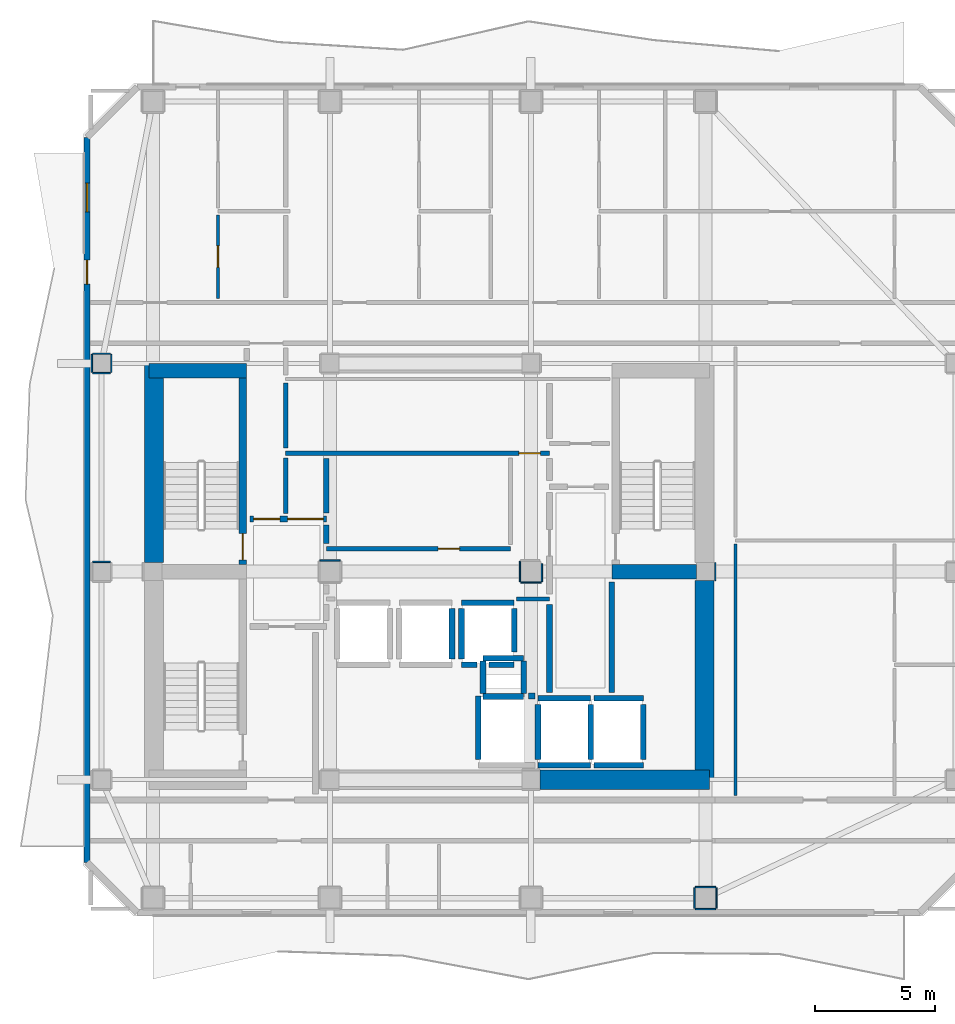
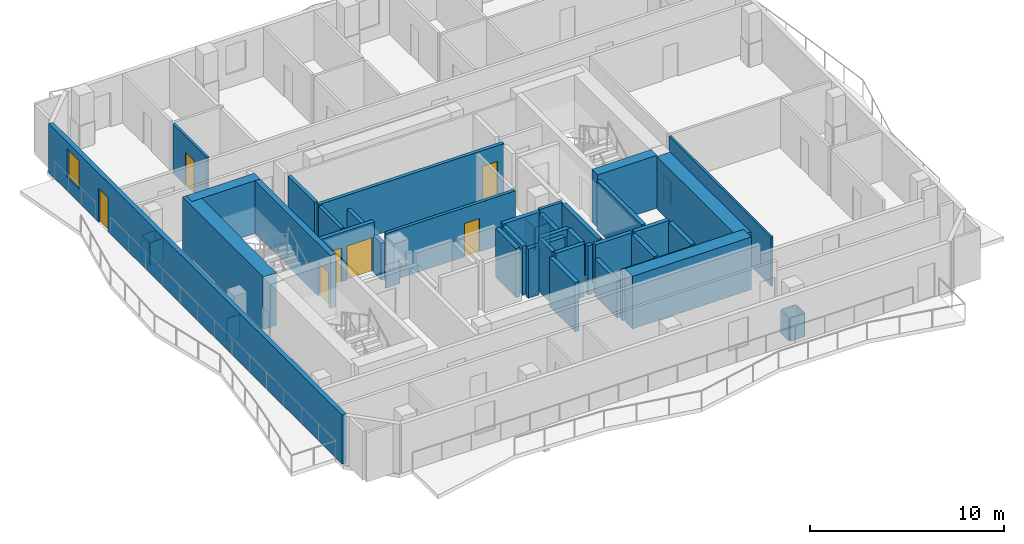
# One storey, part 3 of 9: 52 walls, 7 doors, 1 window, 8 openings.
"""IFC4 building model written with IfcOpenShell, lengths in metres."""

from ifc_helpers import new_model, si_unit, direction, frame, frame_2d, origin, place, context, subcontext, project, spatial, rectangle, extrude, material, layer, layer_set, type_object, element, fill, save


model = new_model("IFC4")

# Units and contexts
model_context = context("Model", 3, precision=1e-05, world=origin(), true_north=direction((0.0, 1.0)))
body_context = subcontext(model_context, "Body", "Model", "MODEL_VIEW")
ifc_project = project(units=[si_unit("LENGTHUNIT", "METRE"), si_unit("AREAUNIT", "SQUARE_METRE"), si_unit("VOLUMEUNIT", "CUBIC_METRE"), si_unit("PLANEANGLEUNIT", "RADIAN"), si_unit("MASSUNIT", "GRAM", prefix="KILO")], contexts=[model_context])

# Site, building, storey
site_placement = place(None, origin())
site = spatial("IfcSite", under=ifc_project, at=site_placement, CompositionType="ELEMENT")
building_placement = place(site_placement, origin())
building = spatial("IfcBuilding", under=site, at=building_placement, Name="Solanera Arch Residences", CompositionType="ELEMENT")
storey_placement = place(building_placement, frame((0.0, 0.0, 244.56005859375)))
storey = spatial("IfcBuildingStorey", under=building, at=storey_placement, Name="L71", CompositionType="ELEMENT", Elevation=244.56005859375)

# Walls
ifc_material_1 = material(Name="Fire-Rated Gypsum Stud Partition", Category="gypsum")
ifc_layer_1 = layer(ifc_material_1, 0.06005859375)
ifc_layer_set_1 = layer_set([ifc_layer_1], Name="Fire-Rated Gypsum Stud Partition")
wall_type_1 = type_object("IfcWallType", Name="Column Acoustic Furring Wall 60", PredefinedType="PARTITIONING", material=ifc_layer_set_1)
wall_1_placement = place(storey_placement, frame((36.906982421875, 30.324951171875, 0.0), z_axis=(0.0, 0.0, 1.0), x_axis=(0.0, 1.0, 0.0)))
element("IfcWall", 1, at=wall_1_placement, inside=storey, type_object=wall_type_1, Name="L71 Column Furring 6E", PredefinedType="PARTITIONING", context=body_context, shape_type="SweptSolid", body=[
    extrude(rectangle(XDim=0.75, YDim=0.06005859375, at=frame_2d((0.375, 0.0))), origin(), (0.0, 0.0, 1.0), 1.449951171875),
])
for number, where, z_axis, x_axis, name in (
    (2, (20.375, 31.156982421875, 0.0), (0.0, 0.0, 1.0), (1.0, 0.0, 0.0), "L71 Column Furring 7N"),
    (3, (28.77490234375, 30.242919921875, 0.0), (0.0, 0.0, 1.0), (1.0, 0.0, 0.0), "L71 Column Furring 8S"),
    (4, (28.742919921875, 30.27490234375, 0.0), (0.0, 0.0, 1.0), (0.0, 1.0, 0.0), "L71 Column Furring 8W"),
):
    element("IfcWall", number, at=place(storey_placement, frame(where, z_axis=z_axis, x_axis=x_axis)), inside=storey, type_object=wall_type_1, Name=name, PredefinedType="PARTITIONING", context=body_context, shape_type="SweptSolid", body=[
        extrude(rectangle(XDim=0.85009765625, YDim=0.06005859375, at=frame_2d((0.425048828125, 0.0))), origin(), (0.0, 0.0, 1.0), 1.449951171875),
    ])
wall_2_placement = place(storey_placement, frame((29.656982421875, 30.27490234375, 0.0), z_axis=(0.0, 0.0, 1.0), x_axis=(0.0, 1.0, 0.0)))
element("IfcWall", 5, at=wall_2_placement, inside=storey, type_object=wall_type_1, Name="L71 Column Furring 8E", PredefinedType="PARTITIONING", context=body_context, shape_type="SweptSolid", body=[
    extrude(rectangle(XDim=0.757080078125, YDim=0.06005859375, at=frame_2d((0.37841796875, 0.0))), origin(), (0.0, 0.0, 1.0), 1.449951171875),
])
for number, where, z_axis, x_axis, name in (
    (6, (36.074951171875, 16.593017578125, 0.0), (0.0, 0.0, 1.0), (1.0, 0.0, 0.0), "L71 Column Furring 15S"),
    (7, (36.074951171875, 17.507080078125, 0.0), (0.0, 0.0, 1.0), (1.0, 0.0, 0.0), "L71 Column Furring 15N"),
    (8, (36.04296875, 16.625, 0.0), (0.0, 0.0, 1.0), (0.0, 1.0, 0.0), "L71 Column Furring 15W"),
    (9, (36.95703125, 16.625, 0.0), (0.0, 0.0, 1.0), (0.0, 1.0, 0.0), "L71 Column Furring 15E"),
):
    element("IfcWall", number, at=place(storey_placement, frame(where, z_axis=z_axis, x_axis=x_axis)), inside=storey, type_object=wall_type_1, Name=name, PredefinedType="PARTITIONING", context=body_context, shape_type="SweptSolid", body=[
        extrude(rectangle(XDim=0.85009765625, YDim=0.06005859375, at=frame_2d((0.425048828125, 0.0))), origin(), (0.0, 0.0, 1.0), 1.449951171875),
    ])
for number, where, z_axis, x_axis, name in (
    (10, (10.875, 31.10693359375, 0.0), (0.0, 0.0, 1.0), (1.0, 0.0, 0.0), "L71 Column Furring 19N"),
    (11, (10.875, 38.992919921875, 0.0), (0.0, 0.0, 1.0), (1.0, 0.0, 0.0), "L71 Column Furring 21S"),
    (12, (10.875, 39.806884765625, 0.0), (0.0, 0.0, 1.0), (1.0, 0.0, 0.0), "L71 Column Furring 21N"),
    (13, (10.843017578125, 39.02490234375, 0.0), (0.0, 0.0, 1.0), (0.0, 1.0, 0.0), "L71 Column Furring 21W"),
    (14, (11.656982421875, 39.02490234375, 0.0), (0.0, 0.0, 1.0), (0.0, 1.0, 0.0), "L71 Column Furring 21E"),
):
    element("IfcWall", number, at=place(storey_placement, frame(where, z_axis=z_axis, x_axis=x_axis)), inside=storey, type_object=wall_type_1, Name=name, PredefinedType="PARTITIONING", context=body_context, shape_type="SweptSolid", body=[
        extrude(rectangle(XDim=0.75, YDim=0.06005859375, at=frame_2d((0.375, 0.0))), origin(), (0.0, 0.0, 1.0), 1.449951171875),
    ])

# Wall, opening, door
ifc_material_2 = material(Name="Concrete C40/50 (f'c = 45 MPa)", Category="concrete")
ifc_layer_2 = layer(ifc_material_2, 0.320068359375)
ifc_layer_set_2 = layer_set([ifc_layer_2], Name="Concrete C40/50 (f'c = 45 MPa)")
wall_type_2 = type_object("IfcWallType", Name="Core Shear Wall CW-320", PredefinedType="SHEAR", material=ifc_layer_set_2)
wall_3_placement = place(storey_placement, frame((17.159912109375, 31.0, 0.0), z_axis=(0.0, 0.0, 1.0), x_axis=(0.0, 1.0, 0.0)))
wall_3 = element("IfcWall", 15, at=wall_3_placement, inside=storey, type_object=wall_type_2, Name="L71 Stair ST-T1 East Shear Wall", PredefinedType="SHEAR", context=body_context, shape_type="SweptSolid", body=[
    extrude(rectangle(XDim=7.800048828125, YDim=0.320068359375, at=frame_2d((3.89990234375, 0.0))), origin(), (0.0, 0.0, 1.0), 3.31982421875),
])
opening_1_placement = place(wall_3_placement, frame((0.18994140625, 0.0, 0.0)))
opening_1 = element("IfcOpeningElement", 16, at=opening_1_placement, cuts=wall_3, Name="Opening DF-01", PredefinedType="OPENING", context=body_context, shape_type="SweptSolid", body=[
    extrude(rectangle(XDim=1.10009765625, YDim=2.14990234375, at=frame_2d((0.550048828125, 1.074951171875))), frame((0.0, 0.169921875, 0.0), z_axis=(0.0, -1.0, 0.0), x_axis=(1.0, 0.0, 0.0)), (0.0, 0.0, 1.0), 0.3401),
])
ifc_material_3 = material(Name="Fire-Rated Architectural Hardwood", Category="wood")
door_type_1 = type_object("IfcDoorType", Name="Stair Exit Fire Door DF-01", OperationType="NOTDEFINED", PredefinedType="DOOR", material=ifc_material_3)
door_1_placement = place(opening_1_placement, origin())
door_1 = element("IfcDoor", 17, at=door_1_placement, inside=storey, type_object=door_type_1, Name="DR-L71-STAIR-ST-T1", OperationType="SINGLE_SWING_LEFT", OverallHeight=2.14990234375, OverallWidth=1.10009765625, PredefinedType="DOOR", context=body_context, shape_type="SweptSolid", body=[
    extrude(rectangle(XDim=1.10009765625, YDim=2.14990234375, at=frame_2d((0.550048828125, 1.074951171875))), frame((0.0, 0.02490234375, 0.0), z_axis=(0.0, -1.0, 0.0), x_axis=(1.0, 0.0, 0.0)), (0.0, 0.0, 1.0), 0.050048828125),
])
fill(opening_1, door_1)

# Walls
ifc_material_4 = material(Name="Concrete C40/50 (f'c = 45 MPa)", Category="concrete")
ifc_layer_3 = layer(ifc_material_4, 0.60009765625)
ifc_layer_set_3 = layer_set([ifc_layer_3], Name="Concrete C40/50 (f'c = 45 MPa)")
wall_type_3 = type_object("IfcWallType", Name="Core Shear Wall CW-600", PredefinedType="SHEAR", material=ifc_layer_set_3)
wall_4_placement = place(storey_placement, frame((13.239990234375, 39.10009765625, 0.0), z_axis=(0.0, 0.0, 1.0), x_axis=(1.0, 0.0, 0.0)))
element("IfcWall", 18, at=wall_4_placement, inside=storey, type_object=wall_type_3, Name="L71 North-West Core Shear Wall", PredefinedType="SHEAR", context=body_context, shape_type="SweptSolid", body=[
    extrude(rectangle(XDim=4.080078125, YDim=0.60009765625, at=frame_2d((2.0400390625, 0.0))), origin(), (0.0, 0.0, 1.0), 3.31982421875),
])
wall_5_placement = place(storey_placement, frame((32.580078125, 30.699951171875, 0.0), z_axis=(0.0, 0.0, 1.0), x_axis=(1.0, 0.0, 0.0)))
element("IfcWall", 19, at=wall_5_placement, inside=storey, type_object=wall_type_3, Name="L71 East Stair Far-Landing Shear Wall", PredefinedType="SHEAR", context=body_context, shape_type="SweptSolid", body=[
    extrude(rectangle(XDim=3.5400390625, YDim=0.60009765625, at=frame_2d((1.77001953125, 0.0))), origin(), (0.0, 0.0, 1.0), 3.31982421875),
])
ifc_material_5 = material(Name="Concrete C40/50 (f'c = 45 MPa)", Category="concrete")
ifc_layer_4 = layer(ifc_material_5, 0.800048828125)
ifc_layer_set_4 = layer_set([ifc_layer_4], Name="Concrete C40/50 (f'c = 45 MPa)")
wall_type_4 = type_object("IfcWallType", Name="Core Shear Wall CW-800", PredefinedType="SHEAR", material=ifc_layer_set_4)
wall_6_placement = place(storey_placement, frame((13.43994140625, 31.080078125, 0.0), z_axis=(0.0, 0.0, 1.0), x_axis=(0.0, 1.0, 0.0)))
element("IfcWall", 20, at=wall_6_placement, inside=storey, type_object=wall_type_4, Name="L71 West Core North Shear Wall", PredefinedType="SHEAR", context=body_context, shape_type="SweptSolid", body=[
    extrude(rectangle(XDim=8.31982421875, YDim=0.800048828125, at=frame_2d((4.159912109375, 0.0))), origin(), (0.0, 0.0, 1.0), 3.31982421875),
])
wall_7_placement = place(storey_placement, frame((36.4599609375, 22.0, 0.0), z_axis=(0.0, 0.0, 1.0), x_axis=(0.0, 1.0, 0.0)))
element("IfcWall", 21, at=wall_7_placement, inside=storey, type_object=wall_type_4, Name="L71 East Core South Shear Wall", PredefinedType="SHEAR", context=body_context, shape_type="SweptSolid", body=[
    extrude(rectangle(XDim=8.320068359375, YDim=0.800048828125, at=frame_2d((4.16015625, 0.0))), origin(), (0.0, 0.0, 1.0), 3.31982421875),
])
wall_8_placement = place(storey_placement, frame((29.580078125, 22.0, 0.0), z_axis=(0.0, 0.0, 1.0), x_axis=(1.0, 0.0, 0.0)))
element("IfcWall", 22, at=wall_8_placement, inside=storey, type_object=wall_type_4, Name="L71 South-East Core Shear Wall", PredefinedType="SHEAR", context=body_context, shape_type="SweptSolid", body=[
    extrude(rectangle(XDim=7.079833984375, YDim=0.800048828125, at=frame_2d((3.5400390625, 0.0))), origin(), (0.0, 0.0, 1.0), 3.31982421875),
])
ifc_material_6 = material(Name="Autoclaved Aerated Concrete Blockwork", Category="masonry")
ifc_layer_5 = layer(ifc_material_6, 0.179931640625)
ifc_layer_set_5 = layer_set([ifc_layer_5], Name="Autoclaved Aerated Concrete Blockwork")
wall_type_5 = type_object("IfcWallType", Name="Corridor Fire Partition 180", PredefinedType="PARTITIONING", material=ifc_layer_set_5)
wall_9_placement = place(storey_placement, frame((28.593017578125, 29.550048828125, 0.0), z_axis=(0.0, 0.0, 1.0), x_axis=(1.0, 0.0, 0.0)))
element("IfcWall", 23, at=wall_9_placement, inside=storey, type_object=wall_type_5, Name="L71 Interior Partition H8 2", PredefinedType="PARTITIONING", context=body_context, shape_type="SweptSolid", body=[
    extrude(rectangle(XDim=1.382080078125, YDim=0.179931640625, at=frame_2d((0.69091796875, 0.0))), origin(), (0.0, 0.0, 1.0), 3.099853515625),
])

# Wall, opening, door
wall_10_placement = place(storey_placement, frame((20.64990234375, 31.64990234375, 0.0), z_axis=(0.0, 0.0, 1.0), x_axis=(1.0, 0.0, 0.0)))
wall_10 = element("IfcWall", 24, at=wall_10_placement, inside=storey, type_object=wall_type_5, Name="L71 Interior Partition H9", PredefinedType="PARTITIONING", context=body_context, shape_type="SweptSolid", body=[
    extrude(rectangle(XDim=7.7001953125, YDim=0.179931640625, at=frame_2d((3.85009765625, 0.0))), origin(), (0.0, 0.0, 1.0), 3.099853515625),
])
opening_2_placement = place(wall_10_placement, frame((4.673095703125, 0.0, 0.0)))
opening_2 = element("IfcOpeningElement", 25, at=opening_2_placement, cuts=wall_10, Name="Opening DI-02", PredefinedType="OPENING", context=body_context, shape_type="SweptSolid", body=[
    extrude(rectangle(XDim=0.89990234375, YDim=2.10009765625, at=frame_2d((0.449951171875, 1.050048828125))), frame((0.0, 0.10009765625, 0.0), z_axis=(0.0, -1.0, 0.0), x_axis=(1.0, 0.0, 0.0)), (0.0, 0.0, 1.0), 0.1999),
])
ifc_material_7 = material(Name="Fire-Rated Architectural Hardwood", Category="wood")
door_type_2 = type_object("IfcDoorType", Name="Suite Room Swing Door DI-02", OperationType="NOTDEFINED", PredefinedType="DOOR", material=ifc_material_7)
door_2_placement = place(opening_2_placement, origin())
door_2 = element("IfcDoor", 26, at=door_2_placement, inside=storey, type_object=door_type_2, Name="DR-L71-IN-013", OperationType="SINGLE_SWING_LEFT", OverallHeight=2.10009765625, OverallWidth=0.89990234375, PredefinedType="DOOR", context=body_context, shape_type="SweptSolid", body=[
    extrude(rectangle(XDim=0.89990234375, YDim=2.10009765625, at=frame_2d((0.449951171875, 1.050048828125))), frame((0.0, 0.02490234375, 0.0), z_axis=(0.0, -1.0, 0.0), x_axis=(1.0, 0.0, 0.0)), (0.0, 0.0, 1.0), 0.050048828125),
])
fill(opening_2, door_2)

# Wall, openings, door, window
ifc_material_8 = material(Name="Precast Concrete C35/45", Category="concrete")
ifc_layer_6 = layer(ifc_material_8, 0.260009765625)
ifc_layer_set_6 = layer_set([ifc_layer_6], Name="Precast Concrete C35/45")
wall_type_6 = type_object("IfcWallType", Name="Exterior Wall Precast Masonry-Frame 260", PredefinedType="STANDARD", material=ifc_layer_set_6)
wall_11_placement = place(storey_placement, frame((10.64501953125, 18.544921875, 0.0), z_axis=(0.0, 0.0, 1.0), x_axis=(0.0, 1.0, 0.0)))
wall_11 = element("IfcWall", 27, at=wall_11_placement, inside=storey, type_object=wall_type_6, Name="L71 Tower Exterior Precast Masonry-Frame Wall W", PredefinedType="STANDARD", context=body_context, shape_type="SweptSolid", body=[
    extrude(rectangle(XDim=30.31005859375, YDim=0.260009765625, at=frame_2d((15.155029296875, 0.0))), origin(), (0.0, 0.0, 1.0), 3.099853515625),
])
opening_3_placement = place(wall_11_placement, frame((24.1708984375, 0.0, 0.0)))
opening_3 = element("IfcOpeningElement", 28, at=opening_3_placement, cuts=wall_11, Name="Opening DB-01", PredefinedType="OPENING", context=body_context, shape_type="SweptSolid", body=[
    extrude(rectangle(XDim=1.0, YDim=2.14990234375, at=frame_2d((0.5, 1.074951171875))), frame((0.0, 0.139892578125, 0.0), z_axis=(0.0, -1.0, 0.0), x_axis=(1.0, 0.0, 0.0)), (0.0, 0.0, 1.0), 0.28),
])
opening_4_placement = place(wall_11_placement, frame((27.195068359375, 0.0, 0.85009765625)))
opening_4 = element("IfcOpeningElement", 29, at=opening_4_placement, cuts=wall_11, Name="Opening W-01", PredefinedType="OPENING", context=body_context, shape_type="SweptSolid", body=[
    extrude(rectangle(XDim=1.199951171875, YDim=1.800048828125, at=frame_2d((0.60009765625, 0.89990234375))), frame((0.0, 0.139892578125, 0.0), z_axis=(0.0, -1.0, 0.0), x_axis=(1.0, 0.0, 0.0)), (0.0, 0.0, 1.0), 0.28),
])
ifc_material_9 = material(Name="Anodised Aluminium Alloy 6063-T6", Category="aluminium")
door_type_3 = type_object("IfcDoorType", Name="Glazed Balcony Swing Door DB-01", OperationType="NOTDEFINED", PredefinedType="DOOR", material=ifc_material_9)
door_3_placement = place(opening_3_placement, origin())
door_3 = element("IfcDoor", 30, at=door_3_placement, inside=storey, type_object=door_type_3, Name="DR-L71-OUT-04", OperationType="SINGLE_SWING_RIGHT", OverallHeight=2.14990234375, OverallWidth=1.0, PredefinedType="DOOR", context=body_context, shape_type="SweptSolid", body=[
    extrude(rectangle(XDim=1.0, YDim=2.14990234375, at=frame_2d((0.5, 1.074951171875))), frame((0.0, 0.02490234375, 0.0), z_axis=(0.0, -1.0, 0.0), x_axis=(1.0, 0.0, 0.0)), (0.0, 0.0, 1.0), 0.050048828125),
])
fill(opening_3, door_3)
ifc_material_10 = material(Name="Double Glazed Low-E Laminated Glass", Category="glass")
window_type = type_object("IfcWindowType", Name="Punched Window W-01", PartitioningType="SINGLE_PANEL", PredefinedType="WINDOW", material=ifc_material_10)
window_placement = place(opening_4_placement, origin())
window = element("IfcWindow", 31, at=window_placement, inside=storey, type_object=window_type, Name="L71 7102-LIV Punched Window", OverallHeight=1.800048828125, OverallWidth=1.199951171875, PartitioningType="SINGLE_PANEL", PredefinedType="WINDOW", context=body_context, shape_type="SweptSolid", body=[
    extrude(rectangle(XDim=1.199951171875, YDim=1.800048828125, at=frame_2d((0.60009765625, 0.89990234375))), frame((0.0, 0.030029296875, 0.0), z_axis=(0.0, -1.0, 0.0), x_axis=(1.0, 0.0, 0.0)), (0.0, 0.0, 1.0), 0.06005859375),
])
fill(opening_4, window)

# Wall, opening, door
ifc_material_11 = material(Name="Autoclaved Aerated Concrete Blockwork", Category="masonry")
ifc_layer_7 = layer(ifc_material_11, 0.199951171875)
ifc_layer_set_7 = layer_set([ifc_layer_7], Name="Autoclaved Aerated Concrete Blockwork")
wall_type_7 = type_object("IfcWallType", Name="Party Wall Acoustic 200", PredefinedType="PARTITIONING", material=ifc_layer_set_7)
wall_12_placement = place(storey_placement, frame((18.949951171875, 35.64990234375, 0.0), z_axis=(0.0, 0.0, 1.0), x_axis=(1.0, 0.0, 0.0)))
wall_12 = element("IfcWall", 32, at=wall_12_placement, inside=storey, type_object=wall_type_7, Name="L71 Interior Partition H6", PredefinedType="PARTITIONING", context=body_context, shape_type="SweptSolid", body=[
    extrude(rectangle(XDim=11.025146484375, YDim=0.199951171875, at=frame_2d((5.5126953125, 0.0))), origin(), (0.0, 0.0, 1.0), 3.099853515625),
])
opening_5_placement = place(wall_12_placement, frame((9.7490234375, 0.0, 0.0)))
opening_5 = element("IfcOpeningElement", 33, at=opening_5_placement, cuts=wall_12, Name="Opening DI-02", PredefinedType="OPENING", context=body_context, shape_type="SweptSolid", body=[
    extrude(rectangle(XDim=0.89990234375, YDim=2.10009765625, at=frame_2d((0.449951171875, 1.050048828125))), frame((0.0, 0.110107421875, 0.0), z_axis=(0.0, -1.0, 0.0), x_axis=(1.0, 0.0, 0.0)), (0.0, 0.0, 1.0), 0.22),
])
door_4_placement = place(opening_5_placement, origin())
door_4 = element("IfcDoor", 34, at=door_4_placement, inside=storey, type_object=door_type_2, Name="DR-L71-IN-012", OperationType="SINGLE_SWING_RIGHT", OverallHeight=2.10009765625, OverallWidth=0.89990234375, PredefinedType="DOOR", context=body_context, shape_type="SweptSolid", body=[
    extrude(rectangle(XDim=0.89990234375, YDim=2.10009765625, at=frame_2d((0.449951171875, 1.050048828125))), frame((0.0, 0.02490234375, 0.0), z_axis=(0.0, -1.0, 0.0), x_axis=(1.0, 0.0, 0.0)), (0.0, 0.0, 1.0), 0.050048828125),
])
fill(opening_5, door_4)

# Walls
wall_13_placement = place(storey_placement, frame((18.949951171875, 33.1279296875, 0.0), z_axis=(0.0, 0.0, 1.0), x_axis=(0.0, 1.0, 0.0)))
element("IfcWall", 35, at=wall_13_placement, inside=storey, type_object=wall_type_7, Name="L71 Interior Partition V6 1", PredefinedType="PARTITIONING", context=body_context, shape_type="SweptSolid", body=[
    extrude(rectangle(XDim=2.31396484375, YDim=0.199951171875, at=frame_2d((1.156982421875, 0.0))), origin(), (0.0, 0.0, 1.0), 3.099853515625),
])
wall_14_placement = place(storey_placement, frame((18.949951171875, 35.85791015625, 0.0), z_axis=(0.0, 0.0, 1.0), x_axis=(0.0, 1.0, 0.0)))
element("IfcWall", 36, at=wall_14_placement, inside=storey, type_object=wall_type_7, Name="L71 Interior Partition V6 2", PredefinedType="PARTITIONING", context=body_context, shape_type="SweptSolid", body=[
    extrude(rectangle(XDim=2.72412109375, YDim=0.199951171875, at=frame_2d((1.362060546875, 0.0))), origin(), (0.0, 0.0, 1.0), 3.099853515625),
])
ifc_material_12 = material(Name="Concrete C40/50 (f'c = 45 MPa)", Category="concrete")
ifc_layer_8 = layer(ifc_material_12, 0.239990234375)
ifc_layer_set_8 = layer_set([ifc_layer_8], Name="Concrete C40/50 (f'c = 45 MPa)")
wall_type_8 = type_object("IfcWallType", Name="Ramp Bearing Shear Wall RW-240", PredefinedType="SHEAR", material=ifc_layer_set_8)
for number, where, z_axis, x_axis, name in (
    (37, (27.199951171875, 25.47998046875, 0.0), (0.0, 0.0, 1.0), (1.0, 0.0, 0.0), "L71 Core MEP Riser South Shaft Wall"),
    (38, (27.199951171875, 27.080078125, 0.0), (0.0, 0.0, 1.0), (1.0, 0.0, 0.0), "L71 Core MEP Riser North Shaft Wall"),
):
    element("IfcWall", number, at=place(storey_placement, frame(where, z_axis=z_axis, x_axis=x_axis)), inside=storey, type_object=wall_type_8, Name=name, PredefinedType="SHEAR", context=body_context, shape_type="SweptSolid", body=[
        extrude(rectangle(XDim=1.699951171875, YDim=0.239990234375, at=frame_2d((0.85009765625, 0.0))), origin(), (0.0, 0.0, 1.0), 3.31982421875),
    ])
for number, where, z_axis, x_axis, name in (
    (39, (27.199951171875, 25.60009765625, 0.0), (0.0, 0.0, 1.0), (0.0, 1.0, 0.0), "L71 Core MEP Riser West Shaft Wall"),
    (40, (28.89990234375, 25.60009765625, 0.0), (0.0, 0.0, 1.0), (0.0, 1.0, 0.0), "L71 Core MEP Riser East Shaft Wall"),
):
    element("IfcWall", number, at=place(storey_placement, frame(where, z_axis=z_axis, x_axis=x_axis)), inside=storey, type_object=wall_type_8, Name=name, PredefinedType="SHEAR", context=body_context, shape_type="SweptSolid", body=[
        extrude(rectangle(XDim=1.35986328125, YDim=0.239990234375, at=frame_2d((0.679931640625, 0.0))), origin(), (0.0, 0.0, 1.0), 3.31982421875),
    ])
ifc_material_13 = material(Name="Autoclaved Aerated Concrete Blockwork", Category="masonry")
ifc_layer_9 = layer(ifc_material_13, 0.239990234375)
ifc_layer_set_9 = layer_set([ifc_layer_9], Name="Autoclaved Aerated Concrete Blockwork")
wall_type_9 = type_object("IfcWallType", Name="Shaft Wall Fire-Rated 240", PredefinedType="PARTITIONING", material=ifc_layer_set_9)
wall_15_placement = place(storey_placement, frame((25.89990234375, 27.048095703125, 0.0), z_axis=(0.0, 0.0, 1.0), x_axis=(0.0, 1.0, 0.0)))
element("IfcWall", 41, at=wall_15_placement, inside=storey, type_object=wall_type_9, Name="L71 Lift PL-H2 Hoistway Wall E", PredefinedType="PARTITIONING", context=body_context, shape_type="SweptSolid", body=[
    extrude(rectangle(XDim=2.10400390625, YDim=0.239990234375, at=frame_2d((1.052001953125, 0.0))), origin(), (0.0, 0.0, 1.0), 3.099853515625),
])
wall_16_placement = place(storey_placement, frame((26.300048828125, 26.800048828125, 0.0), z_axis=(0.0, 0.0, 1.0), x_axis=(1.0, 0.0, 0.0)))
element("IfcWall", 42, at=wall_16_placement, inside=storey, type_object=wall_type_9, Name="L71 Lift PL-H3 Hoistway Wall S 1", PredefinedType="PARTITIONING", context=body_context, shape_type="SweptSolid", body=[
    extrude(rectangle(XDim=0.64990234375, YDim=0.239990234375, at=frame_2d((0.324951171875, 0.0))), origin(), (0.0, 0.0, 1.0), 3.099853515625),
])
wall_17_placement = place(storey_placement, frame((27.449951171875, 26.800048828125, 0.0), z_axis=(0.0, 0.0, 1.0), x_axis=(1.0, 0.0, 0.0)))
element("IfcWall", 43, at=wall_17_placement, inside=storey, type_object=wall_type_9, Name="L71 Lift PL-H3 Hoistway Wall S 2", PredefinedType="PARTITIONING", context=body_context, shape_type="SweptSolid", body=[
    extrude(rectangle(XDim=1.050048828125, YDim=0.239990234375, at=frame_2d((0.52490234375, 0.0))), origin(), (0.0, 0.0, 1.0), 3.099853515625),
])
wall_18_placement = place(storey_placement, frame((26.300048828125, 29.39990234375, 0.0), z_axis=(0.0, 0.0, 1.0), x_axis=(1.0, 0.0, 0.0)))
element("IfcWall", 44, at=wall_18_placement, inside=storey, type_object=wall_type_9, Name="L71 Lift PL-H3 Hoistway Wall N", PredefinedType="PARTITIONING", context=body_context, shape_type="SweptSolid", body=[
    extrude(rectangle(XDim=2.199951171875, YDim=0.239990234375, at=frame_2d((1.10009765625, 0.0))), origin(), (0.0, 0.0, 1.0), 3.099853515625),
])
wall_19_placement = place(storey_placement, frame((26.300048828125, 27.048095703125, 0.0), z_axis=(0.0, 0.0, 1.0), x_axis=(0.0, 1.0, 0.0)))
element("IfcWall", 45, at=wall_19_placement, inside=storey, type_object=wall_type_9, Name="L71 Lift PL-H3 Hoistway Wall W", PredefinedType="PARTITIONING", context=body_context, shape_type="SweptSolid", body=[
    extrude(rectangle(XDim=2.10400390625, YDim=0.239990234375, at=frame_2d((1.052001953125, 0.0))), origin(), (0.0, 0.0, 1.0), 3.099853515625),
])
wall_20_placement = place(storey_placement, frame((28.5, 27.330078125, 0.0), z_axis=(0.0, 0.0, 1.0), x_axis=(0.0, 1.0, 0.0)))
element("IfcWall", 46, at=wall_20_placement, inside=storey, type_object=wall_type_9, Name="L71 Lift PL-H3 Hoistway Wall E", PredefinedType="PARTITIONING", context=body_context, shape_type="SweptSolid", body=[
    extrude(rectangle(XDim=1.822021484375, YDim=0.239990234375, at=frame_2d((0.9111328125, 0.0))), origin(), (0.0, 0.0, 1.0), 3.099853515625),
])
for number, where, z_axis, x_axis, name in (
    (47, (29.5, 22.60009765625, 0.0), (0.0, 0.0, 1.0), (1.0, 0.0, 0.0), "L71 Lift FFL-1 Hoistway Wall S"),
    (48, (29.5, 25.39990234375, 0.0), (0.0, 0.0, 1.0), (1.0, 0.0, 0.0), "L71 Lift FFL-1 Hoistway Wall N"),
):
    element("IfcWall", number, at=place(storey_placement, frame(where, z_axis=z_axis, x_axis=x_axis)), inside=storey, type_object=wall_type_9, Name=name, PredefinedType="PARTITIONING", context=body_context, shape_type="SweptSolid", body=[
        extrude(rectangle(XDim=2.199951171875, YDim=0.239990234375, at=frame_2d((1.10009765625, 0.0))), origin(), (0.0, 0.0, 1.0), 3.099853515625),
    ])
wall_21_placement = place(storey_placement, frame((29.5, 22.847900390625, 0.0), z_axis=(0.0, 0.0, 1.0), x_axis=(0.0, 1.0, 0.0)))
element("IfcWall", 49, at=wall_21_placement, inside=storey, type_object=wall_type_9, Name="L71 Lift FFL-1 Hoistway Wall W", PredefinedType="PARTITIONING", context=body_context, shape_type="SweptSolid", body=[
    extrude(rectangle(XDim=2.30419921875, YDim=0.239990234375, at=frame_2d((1.152099609375, 0.0))), origin(), (0.0, 0.0, 1.0), 2.3349609375),
])
wall_22_placement = place(storey_placement, frame((31.699951171875, 22.847900390625, 0.0), z_axis=(0.0, 0.0, 1.0), x_axis=(0.0, 1.0, 0.0)))
element("IfcWall", 50, at=wall_22_placement, inside=storey, type_object=wall_type_9, Name="L71 Lift FFL-1 Hoistway Wall E", PredefinedType="PARTITIONING", context=body_context, shape_type="SweptSolid", body=[
    extrude(rectangle(XDim=2.30419921875, YDim=0.239990234375, at=frame_2d((1.152099609375, 0.0))), origin(), (0.0, 0.0, 1.0), 3.099853515625),
])
for number, where, z_axis, x_axis, name in (
    (51, (31.827880859375, 22.60009765625, 0.0), (0.0, 0.0, 1.0), (1.0, 0.0, 0.0), "L71 Lift FFL-2 Hoistway Wall S"),
    (52, (31.827880859375, 25.39990234375, 0.0), (0.0, 0.0, 1.0), (1.0, 0.0, 0.0), "L71 Lift FFL-2 Hoistway Wall N"),
):
    element("IfcWall", number, at=place(storey_placement, frame(where, z_axis=z_axis, x_axis=x_axis)), inside=storey, type_object=wall_type_9, Name=name, PredefinedType="PARTITIONING", context=body_context, shape_type="SweptSolid", body=[
        extrude(rectangle(XDim=2.072021484375, YDim=0.239990234375, at=frame_2d((1.0361328125, 0.0))), origin(), (0.0, 0.0, 1.0), 3.099853515625),
    ])
wall_23_placement = place(storey_placement, frame((33.89990234375, 22.847900390625, 0.0), z_axis=(0.0, 0.0, 1.0), x_axis=(0.0, 1.0, 0.0)))
element("IfcWall", 53, at=wall_23_placement, inside=storey, type_object=wall_type_9, Name="L71 Lift FFL-2 Hoistway Wall E", PredefinedType="PARTITIONING", context=body_context, shape_type="SweptSolid", body=[
    extrude(rectangle(XDim=2.30419921875, YDim=0.239990234375, at=frame_2d((1.152099609375, 0.0))), origin(), (0.0, 0.0, 1.0), 3.099853515625),
])
wall_24_placement = place(storey_placement, frame((29.10302734375, 25.5, 0.0), z_axis=(0.0, 0.0, 1.0), x_axis=(1.0, 0.0, 0.0)))
element("IfcWall", 54, at=wall_24_placement, inside=storey, type_object=wall_type_9, Name="L71 Lift SVL-1 Hoistway Wall N", PredefinedType="PARTITIONING", context=body_context, shape_type="SweptSolid", body=[
    extrude(rectangle(XDim=0.26904296875, YDim=0.239990234375, at=frame_2d((0.134521484375, 0.0))), origin(), (0.0, 0.0, 1.0), 3.099853515625),
])
wall_25_placement = place(storey_placement, frame((27.0, 22.847900390625, 0.0), z_axis=(0.0, 0.0, 1.0), x_axis=(0.0, 1.0, 0.0)))
element("IfcWall", 55, at=wall_25_placement, inside=storey, type_object=wall_type_9, Name="L71 Lift SVL-1 Hoistway Wall W", PredefinedType="PARTITIONING", context=body_context, shape_type="SweptSolid", body=[
    extrude(rectangle(XDim=2.650146484375, YDim=0.239990234375, at=frame_2d((1.3251953125, 0.0))), origin(), (0.0, 0.0, 1.0), 3.099853515625),
])

# Wall, openings, doors
wall_26_placement = place(storey_placement, frame((17.449951171875, 32.89990234375, 0.0), z_axis=(0.0, 0.0, 1.0), x_axis=(1.0, 0.0, 0.0)))
wall_26 = element("IfcWall", 56, at=wall_26_placement, inside=storey, type_object=wall_type_9, Name="L71 Interior Partition H4", PredefinedType="PARTITIONING", context=body_context, shape_type="SweptSolid", body=[
    extrude(rectangle(XDim=3.199951171875, YDim=0.239990234375, at=frame_2d((1.60009765625, 0.0))), origin(), (0.0, 0.0, 1.0), 3.099853515625),
])
opening_6_placement = place(wall_26_placement, frame((0.158935546875, 0.0, 0.0)))
opening_6 = element("IfcOpeningElement", 57, at=opening_6_placement, cuts=wall_26, Name="Opening DF-02", PredefinedType="OPENING", context=body_context, shape_type="SweptSolid", body=[
    extrude(rectangle(XDim=1.10009765625, YDim=2.14990234375, at=frame_2d((0.550048828125, 1.074951171875))), frame((0.0, 0.1298828125, 0.0), z_axis=(0.0, -1.0, 0.0), x_axis=(1.0, 0.0, 0.0)), (0.0, 0.0, 1.0), 0.26),
])
opening_7_placement = place(wall_26_placement, frame((1.575927734375, 0.0, 0.0)))
opening_7 = element("IfcOpeningElement", 58, at=opening_7_placement, cuts=wall_26, Name="Opening DP-01", PredefinedType="OPENING", context=body_context, shape_type="SweptSolid", body=[
    extrude(rectangle(XDim=1.5, YDim=2.14990234375, at=frame_2d((0.75, 1.074951171875))), frame((0.0, 0.1298828125, 0.0), z_axis=(0.0, -1.0, 0.0), x_axis=(1.0, 0.0, 0.0)), (0.0, 0.0, 1.0), 0.26),
])
ifc_material_14 = material(Name="Fire-Rated Architectural Hardwood", Category="wood")
door_type_4 = type_object("IfcDoorType", Name="Firefighting Lobby Fire Door DF-02", OperationType="NOTDEFINED", PredefinedType="DOOR", material=ifc_material_14)
door_5_placement = place(opening_6_placement, origin())
door_5 = element("IfcDoor", 59, at=door_5_placement, inside=storey, type_object=door_type_4, Name="DR-L71-IN-005", OperationType="SINGLE_SWING_LEFT", OverallHeight=2.14990234375, OverallWidth=1.10009765625, PredefinedType="DOOR", context=body_context, shape_type="SweptSolid", body=[
    extrude(rectangle(XDim=1.10009765625, YDim=2.14990234375, at=frame_2d((0.550048828125, 1.074951171875))), frame((0.0, 0.02490234375, 0.0), z_axis=(0.0, -1.0, 0.0), x_axis=(1.0, 0.0, 0.0)), (0.0, 0.0, 1.0), 0.050048828125),
])
fill(opening_6, door_5)
ifc_material_15 = material(Name="Fire-Rated Architectural Hardwood", Category="wood")
door_type_5 = type_object("IfcDoorType", Name="Plant Double Fire Door DP-01", OperationType="NOTDEFINED", PredefinedType="DOOR", material=ifc_material_15)
door_6_placement = place(opening_7_placement, origin())
door_6 = element("IfcDoor", 60, at=door_6_placement, inside=storey, type_object=door_type_5, Name="DR-L71-IN-010", OperationType="SINGLE_SWING_RIGHT", OverallHeight=2.14990234375, OverallWidth=1.5, PredefinedType="DOOR", context=body_context, shape_type="SweptSolid", body=[
    extrude(rectangle(XDim=1.5, YDim=2.14990234375, at=frame_2d((0.75, 1.074951171875))), frame((0.0, 0.02490234375, 0.0), z_axis=(0.0, -1.0, 0.0), x_axis=(1.0, 0.0, 0.0)), (0.0, 0.0, 1.0), 0.050048828125),
])
fill(opening_7, door_6)

# Walls
wall_27_placement = place(storey_placement, frame((20.64990234375, 31.867919921875, 0.0), z_axis=(0.0, 0.0, 1.0), x_axis=(0.0, 1.0, 0.0)))
element("IfcWall", 61, at=wall_27_placement, inside=storey, type_object=wall_type_9, Name="L71 Interior Partition V3 3", PredefinedType="PARTITIONING", context=body_context, shape_type="SweptSolid", body=[
    extrude(rectangle(XDim=0.7841796875, YDim=0.239990234375, at=frame_2d((0.39208984375, 0.0))), origin(), (0.0, 0.0, 1.0), 2.3349609375),
])
wall_28_placement = place(storey_placement, frame((20.64990234375, 33.14794921875, 0.0), z_axis=(0.0, 0.0, 1.0), x_axis=(0.0, 1.0, 0.0)))
element("IfcWall", 62, at=wall_28_placement, inside=storey, type_object=wall_type_9, Name="L71 Interior Partition V3 4", PredefinedType="PARTITIONING", context=body_context, shape_type="SweptSolid", body=[
    extrude(rectangle(XDim=2.274169921875, YDim=0.239990234375, at=frame_2d((1.13720703125, 0.0))), origin(), (0.0, 0.0, 1.0), 2.3349609375),
])
wall_29_placement = place(storey_placement, frame((29.97509765625, 25.64794921875, 0.0), z_axis=(0.0, 0.0, 1.0), x_axis=(0.0, 1.0, 0.0)))
element("IfcWall", 63, at=wall_29_placement, inside=storey, type_object=wall_type_9, Name="L71 Interior Partition V4 1", PredefinedType="PARTITIONING", context=body_context, shape_type="SweptSolid", body=[
    extrude(rectangle(XDim=3.68408203125, YDim=0.239990234375, at=frame_2d((1.842041015625, 0.0))), origin(), (0.0, 0.0, 1.0), 3.099853515625),
])
wall_30_placement = place(storey_placement, frame((32.580078125, 25.64794921875, 0.0), z_axis=(0.0, 0.0, 1.0), x_axis=(0.0, 1.0, 0.0)))
element("IfcWall", 64, at=wall_30_placement, inside=storey, type_object=wall_type_9, Name="L71 Interior Partition V5", PredefinedType="PARTITIONING", context=body_context, shape_type="SweptSolid", body=[
    extrude(rectangle(XDim=4.6220703125, YDim=0.239990234375, at=frame_2d((2.31103515625, 0.0))), origin(), (0.0, 0.0, 1.0), 3.099853515625),
])
ifc_material_16 = material(Name="Fire-Rated Gypsum Stud Partition", Category="gypsum")
ifc_layer_10 = layer(ifc_material_16, 0.1201171875)
ifc_layer_set_10 = layer_set([ifc_layer_10], Name="Fire-Rated Gypsum Stud Partition")
wall_type_10 = type_object("IfcWallType", Name="Unit Drywall Partition 120", PredefinedType="PARTITIONING", material=ifc_layer_set_10)
wall_31_placement = place(storey_placement, frame((37.75, 21.337890625, 0.0), z_axis=(0.0, 0.0, 1.0), x_axis=(0.0, 1.0, 0.0)))
element("IfcWall", 65, at=wall_31_placement, inside=storey, type_object=wall_type_10, Name="L71 Interior Partition V22 1", PredefinedType="PARTITIONING", context=body_context, shape_type="SweptSolid", body=[
    extrude(rectangle(XDim=10.524169921875, YDim=0.1201171875, at=frame_2d((5.26220703125, 0.0))), origin(), (0.0, 0.0, 1.0), 3.099853515625),
])

# Wall, opening, door
ifc_material_17 = material(Name="Autoclaved Aerated Concrete Blockwork", Category="masonry")
ifc_layer_11 = layer(ifc_material_17, 0.139892578125)
ifc_layer_set_11 = layer_set([ifc_layer_11], Name="Autoclaved Aerated Concrete Blockwork")
wall_type_11 = type_object("IfcWallType", Name="Wet-Room Partition 140", PredefinedType="PARTITIONING", material=ifc_layer_set_11)
wall_32_placement = place(storey_placement, frame((16.1201171875, 42.117919921875, 0.0), z_axis=(0.0, 0.0, 1.0), x_axis=(0.0, 1.0, 0.0)))
wall_32 = element("IfcWall", 66, at=wall_32_placement, inside=storey, type_object=wall_type_11, Name="L71 Interior Partition V13 1", PredefinedType="PARTITIONING", context=body_context, shape_type="SweptSolid", body=[
    extrude(rectangle(XDim=3.489990234375, YDim=0.139892578125, at=frame_2d((1.7451171875, 0.0))), origin(), (0.0, 0.0, 1.0), 3.099853515625),
])
opening_8_placement = place(wall_32_placement, frame((1.298095703125, 0.0, 0.0)))
opening_8 = element("IfcOpeningElement", 67, at=opening_8_placement, cuts=wall_32, Name="Opening DI-02", PredefinedType="OPENING", context=body_context, shape_type="SweptSolid", body=[
    extrude(rectangle(XDim=0.89990234375, YDim=2.10009765625, at=frame_2d((0.449951171875, 1.050048828125))), frame((0.0, 0.079833984375, 0.0), z_axis=(0.0, -1.0, 0.0), x_axis=(1.0, 0.0, 0.0)), (0.0, 0.0, 1.0), 0.1599),
])
door_7_placement = place(opening_8_placement, origin())
door_7 = element("IfcDoor", 68, at=door_7_placement, inside=storey, type_object=door_type_2, Name="DR-L71-IN-019", OperationType="SINGLE_SWING_LEFT", OverallHeight=2.10009765625, OverallWidth=0.89990234375, PredefinedType="DOOR", context=body_context, shape_type="SweptSolid", body=[
    extrude(rectangle(XDim=0.89990234375, YDim=2.10009765625, at=frame_2d((0.449951171875, 1.050048828125))), frame((0.0, 0.02490234375, 0.0), z_axis=(0.0, -1.0, 0.0), x_axis=(1.0, 0.0, 0.0)), (0.0, 0.0, 1.0), 0.050048828125),
])
fill(opening_8, door_7)

save(model, "model.ifc")
